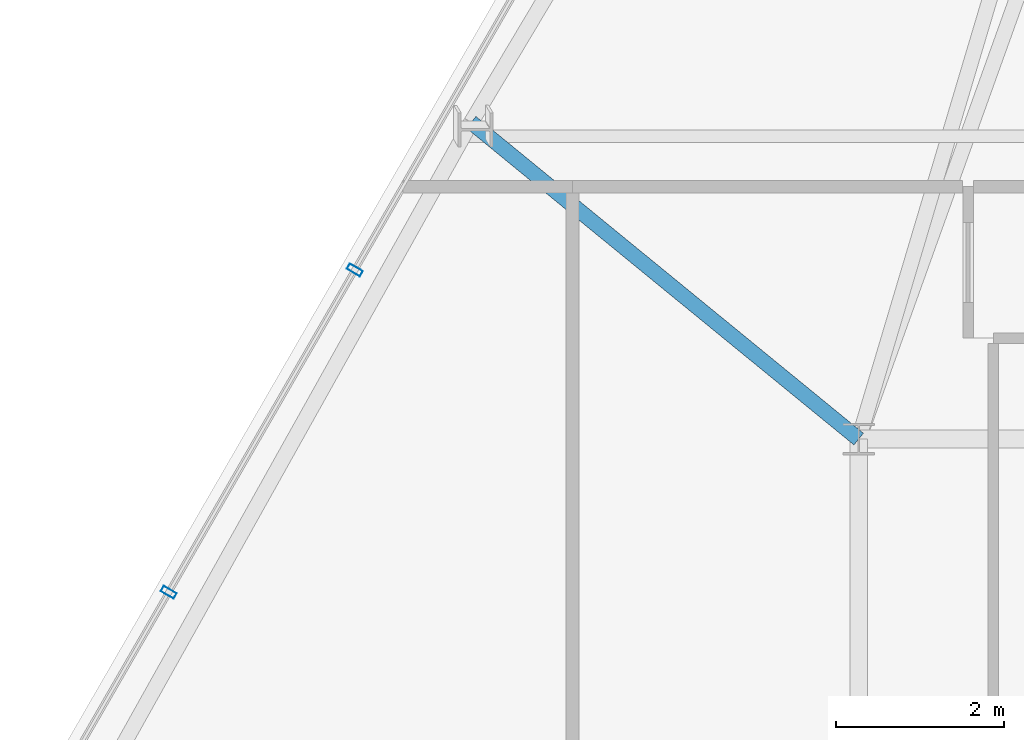
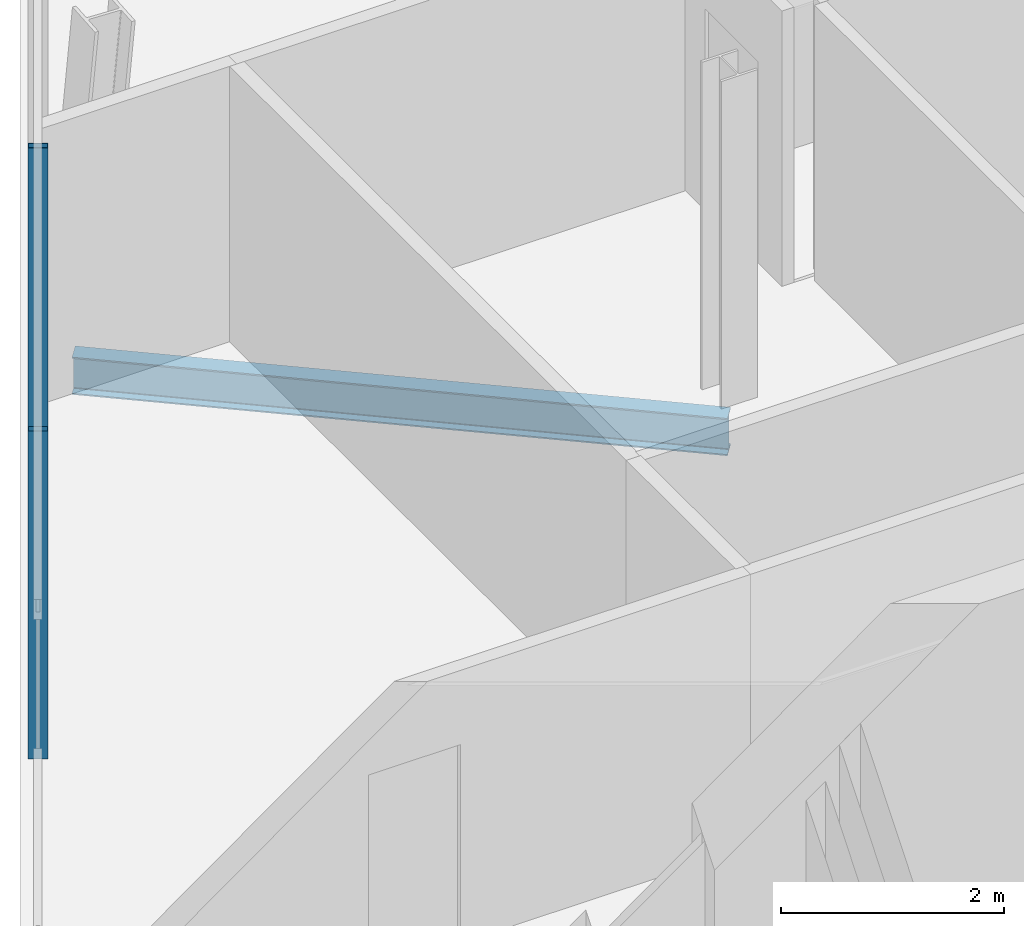
# One storey, part 12 of 34: 2 members, 1 beam, 1 element without a shape of its own.
"""IFC4 building model written with IfcOpenShell, lengths in metres."""

from ifc_helpers import new_model, si_unit, direction, frame, origin, origin_2d, place, context, subcontext, project, spatial, hollow_rectangle, i_section, extrude, material, layer, layer_set, material_profile, profile_set, type_object, element, aggregate, save


model = new_model("IFC4")

# Units and contexts
model_context = context("Model", 3, precision=1e-05, world=origin(), true_north=direction((0.0, 1.0)))
body_context = subcontext(model_context, "Body", "Model", "MODEL_VIEW")
ifc_project = project(units=[si_unit("LENGTHUNIT", "METRE"), si_unit("AREAUNIT", "SQUARE_METRE"), si_unit("VOLUMEUNIT", "CUBIC_METRE"), si_unit("PLANEANGLEUNIT", "RADIAN"), si_unit("MASSUNIT", "GRAM", prefix="KILO")], contexts=[model_context])

# Site, building, storey
site_placement = place(None, origin())
site = spatial("IfcSite", under=ifc_project, at=site_placement, CompositionType="ELEMENT")
building_placement = place(site_placement, origin())
building = spatial("IfcBuilding", under=site, at=building_placement, Name="Ndaravel Arena Tower", CompositionType="ELEMENT")
storey_placement = place(building_placement, frame((0.0, 0.0, 267.39990234375)))
storey = spatial("IfcBuildingStorey", under=building, at=storey_placement, Name="L65", CompositionType="ELEMENT", Elevation=267.39990234375)

# Beam
ifc_material_1 = material(Name="Steel S355", Category="steel")
ifc_material_profile_1 = material_profile(ifc_material_1, i_section(OverallWidth=0.1787109375, OverallDepth=0.409423828125, WebThickness=0.0087890625, FlangeThickness=0.014404296875, FilletRadius=0.01025390625, at=origin_2d()), Name="UB 406x178x67")
ifc_profile_set_1 = profile_set([ifc_material_profile_1], Name="Steel S355")
beam_type = type_object("IfcBeamType", Name="BM-GIRD-UB406", PredefinedType="BEAM", material=ifc_profile_set_1)
beam_placement = place(storey_placement, frame((29.596435546875, 26.963623046875, -0.424560546875), z_axis=(0.774191399376, -0.632951559863, 0.0), x_axis=(0.632951559863, 0.774191399376, 0.0)))
element("IfcBeam", 1, at=beam_placement, inside=storey, type_object=beam_type, Name="L65 Radial Floor Girder FG-19", PredefinedType="BEAM", context=body_context, shape_type="SweptSolid", body=[
    extrude(i_section(OverallWidth=0.1787109375, OverallDepth=0.409423828125, WebThickness=0.0087890625, FlangeThickness=0.014404296875, FilletRadius=0.01025390625, at=origin_2d()), origin(), (0.0, 0.0, 1.0), 5.9462890625),
])

# Curtain wall, members
ifc_material_2 = material(Name="Aluminium", Category="aluminium")
ifc_layer = layer(ifc_material_2, 0.179931640625)
ifc_layer_set = layer_set([ifc_layer], Name="Aluminium")
curtain_wall_type = type_object("IfcCurtainWallType", Name="CW-SYS-03", PredefinedType="NOTDEFINED", material=ifc_layer_set)
curtain_wall_placement = place(storey_placement, origin())
curtain_wall = element("IfcCurtainWall", 2, at=curtain_wall_placement, inside=storey, type_object=curtain_wall_type, Name="L65 Faceted Crystal Curtain Wall CW-L65-E05", PredefinedType="NOTDEFINED")
ifc_material_3 = material(Name="Aluminium", Category="aluminium")
ifc_material_profile_2 = material_profile(ifc_material_3, hollow_rectangle(XDim=0.074951171875, YDim=0.179931640625, WallThickness=0.00390625, at=origin_2d()), Name="CW MULLION 75x180x4")
ifc_profile_set_2 = profile_set([ifc_material_profile_2], Name="Aluminium")
member_type = type_object("IfcMemberType", Name="MEM-CW-MUL180", PredefinedType="MULLION", material=ifc_profile_set_2)
member_1_placement = place(storey_placement, frame((28.213623046875, 25.20849609375, 0.0), z_axis=(0.0, 0.0, 1.0), x_axis=(-0.5, -0.866025403784, 0.0)))
member_1 = element("IfcMember", 3, at=member_1_placement, type_object=member_type, Name="CW-L65-E05 Mullion 05", PredefinedType="MULLION", context=body_context, shape_type="SweptSolid", body=[
    extrude(hollow_rectangle(XDim=0.074951171875, YDim=0.179931640625, WallThickness=0.00390625, at=origin_2d()), origin(), (0.0, 0.0, 1.0), 3.580078125),
])
member_2_placement = place(storey_placement, frame((26.00244140625, 21.378662109375, 0.0), z_axis=(0.0, 0.0, 1.0), x_axis=(-0.5, -0.866025403784, 0.0)))
member_2 = element("IfcMember", 4, at=member_2_placement, type_object=member_type, Name="CW-L65-E05 Mullion 06", PredefinedType="MULLION", context=body_context, shape_type="SweptSolid", body=[
    extrude(hollow_rectangle(XDim=0.074951171875, YDim=0.179931640625, WallThickness=0.00390625, at=origin_2d()), origin(), (0.0, 0.0, 1.0), 3.580078125),
])
aggregate(curtain_wall, [member_1, member_2])

save(model, "model.ifc")
